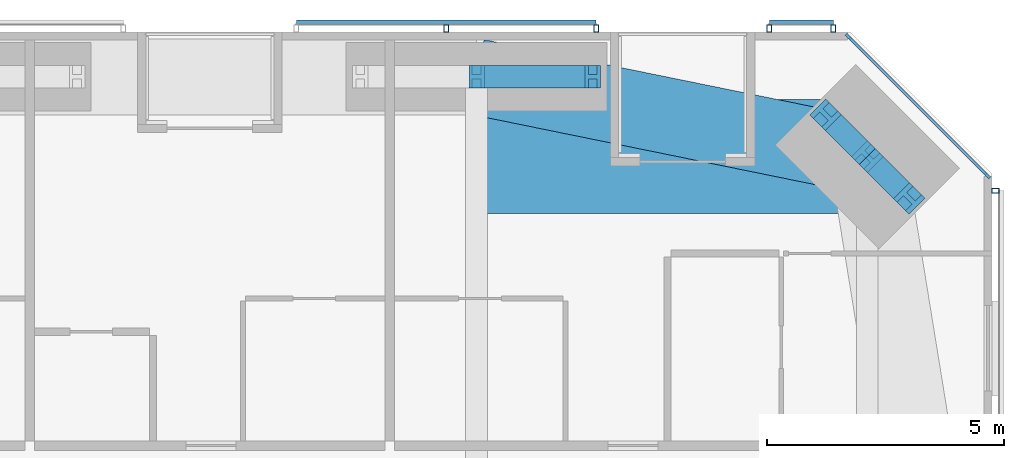
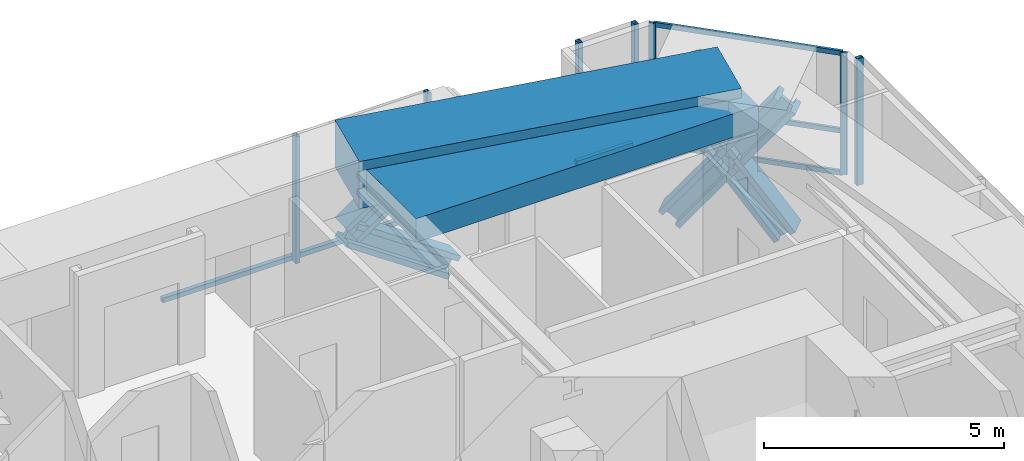
# One storey, part 15 of 25: 18 members, 2 beams, 4 elements without a shape of their own.
"""IFC4 building model written with IfcOpenShell, lengths in metres."""

import ifcopenshell
import ifcopenshell.guid

model = None  # the IFC model being written
_history = None  # IfcOwnerHistory: only IFC2X3 demands one
_inside = {}  # id of a spatial element -> (the spatial element, [elements in it])
_under = {}  # id of a project, library or spatial element -> (it, [spatial elements below it])
_declared = {}  # id of a project -> (the project, [libraries it declares])
_typed = {}  # id of a type object -> (the type object, [elements of that type])
_made_of = {}  # id of a material, layer set ... -> (it, [elements and type objects made of it])


def new_model(schema):
    """Start an empty IFC model of exactly this schema.

    Asked for "IFC4X3", IfcOpenShell would pick the latest addendum, in which some entities
    have other attributes; the version numbers below select the first issue.
    IFC2X3 requires an IfcOwnerHistory on every rooted entity: one is made here for all.
    """
    global model, _history
    if schema == "IFC4X3":
        model = ifcopenshell.file(schema_version=(4, 3, 0, 0))
    else:
        model = ifcopenshell.file(schema=schema)
    _inside.clear()
    _under.clear()
    _declared.clear()
    _typed.clear()
    _made_of.clear()
    _history = None
    if model.schema == "IFC2X3":
        org = make("IfcOrganization", Name="unknown")
        user = make(
            "IfcPersonAndOrganization",
            ThePerson=make("IfcPerson", FamilyName="unknown"),
            TheOrganization=org,
        )
        app = make(
            "IfcApplication",
            ApplicationDeveloper=org,
            Version="unknown",
            ApplicationFullName="unknown",
            ApplicationIdentifier="unknown",
        )
        _history = make(
            "IfcOwnerHistory",
            OwningUser=user,
            OwningApplication=app,
            ChangeAction="ADDED",
            CreationDate=0,
        )
    return model


def make(cls, **values):
    """One entity of the class cls with the attributes given. An attribute that is None is left unset."""
    return model.create_entity(
        cls, **{name: value for name, value in values.items() if value is not None}
    )


def rooted(cls, **values):
    """An entity with a GlobalId (a new one), such as an element, a storey or a relation."""
    return make(cls, GlobalId=ifcopenshell.guid.new(), OwnerHistory=_history, **values)


def si_unit(unit_type, name, prefix=None):
    """IfcSIUnit, for example si_unit("LENGTHUNIT", "METRE", prefix="MILLI")."""
    return make("IfcSIUnit", UnitType=unit_type, Prefix=prefix, Name=name)


def assignment(units):
    """IfcUnitAssignment: the units of a project."""
    return None if units is None else make("IfcUnitAssignment", Units=units)


def point(xyz):
    """IfcCartesianPoint."""
    return None if xyz is None else make("IfcCartesianPoint", Coordinates=xyz)


def direction(xyz):
    """IfcDirection."""
    return None if xyz is None else make("IfcDirection", DirectionRatios=xyz)


def frame(location, z_axis=None, x_axis=None):
    """IfcAxis2Placement3D, a coordinate frame: its origin and axes. An axis left out is left unset."""
    return make(
        "IfcAxis2Placement3D",
        Location=point(location),
        Axis=direction(z_axis),
        RefDirection=direction(x_axis),
    )


def frame_2d(location, x_axis=None):
    """IfcAxis2Placement2D, a coordinate frame in the plane: its origin and x axis."""
    return make(
        "IfcAxis2Placement2D", Location=point(location), RefDirection=direction(x_axis)
    )


def origin():
    """The frame at (0, 0, 0) with its axes left unset."""
    return frame((0.0, 0.0, 0.0))


def origin_2d():
    """The frame at (0, 0) in the plane with its x axis left unset."""
    return frame_2d((0.0, 0.0))


def place(relative_to, where):
    """IfcLocalPlacement: puts the frame where relative to a parent placement (None: the world)."""
    return make(
        "IfcLocalPlacement", PlacementRelTo=relative_to, RelativePlacement=where
    )


def context(
    kind, dimensions, precision=None, world=None, true_north=None, identifier=None
):
    """IfcGeometricRepresentationContext, for example the 3D "Model" context."""
    return make(
        "IfcGeometricRepresentationContext",
        ContextIdentifier=identifier,
        ContextType=kind,
        CoordinateSpaceDimension=dimensions,
        Precision=precision,
        WorldCoordinateSystem=world,
        TrueNorth=true_north,
    )


def subcontext(parent, identifier, kind, view, scale=None):
    """IfcGeometricRepresentationSubContext, for example "Body" below "Model"."""
    return make(
        "IfcGeometricRepresentationSubContext",
        ContextIdentifier=identifier,
        ContextType=kind,
        ParentContext=parent,
        TargetScale=scale,
        TargetView=view,
    )


def project(units=None, contexts=None):
    """IfcProject with its units and contexts."""
    return rooted(
        "IfcProject",
        Name="project",
        RepresentationContexts=contexts,
        UnitsInContext=assignment(units),
    )


def spatial(cls, under=None, at=None, **own):
    """A site, building, storey or space (cls), placed at a placement, below another one or the project."""
    s = rooted(cls, ObjectPlacement=at, **own)
    if under is not None:
        _under.setdefault(under.id(), (under, []))[1].append(s)
    return s


def profile(cls, at=None, kind="AREA", **sizes):
    """A parametric profile (cls). Its sizes go by their IFC names, for example OverallWidth=200.0."""
    return make(cls, ProfileType=kind, Position=at, **sizes)


def rectangle(**sizes):
    """IfcRectangleProfileDef."""
    return profile("IfcRectangleProfileDef", **sizes)


def hollow_rectangle(**sizes):
    """IfcRectangleHollowProfileDef."""
    return profile("IfcRectangleHollowProfileDef", **sizes)


def i_section(**sizes):
    """IfcIShapeProfileDef."""
    return profile("IfcIShapeProfileDef", **sizes)


def extrude(swept, where, along, depth):
    """IfcExtrudedAreaSolid: the profile swept, set in the frame where, extruded along a direction by depth."""
    return make(
        "IfcExtrudedAreaSolid",
        SweptArea=swept,
        Position=where,
        ExtrudedDirection=direction(along),
        Depth=depth,
    )


def shape(context_of_items, identifier, shape_type, items):
    """IfcShapeRepresentation: the items that make up one representation, for example the "Body"."""
    return make(
        "IfcShapeRepresentation",
        ContextOfItems=context_of_items,
        RepresentationIdentifier=identifier,
        RepresentationType=shape_type,
        Items=items,
    )


def material(Name=None, Category=None):
    """IfcMaterial."""
    return make("IfcMaterial", Name=Name, Category=Category)


def material_profile(
    of_material, cross_section, Name=None, Category=None, Priority=None
):
    """IfcMaterialProfile: a cross section and its material."""
    return make(
        "IfcMaterialProfile",
        Name=Name,
        Material=of_material,
        Profile=cross_section,
        Priority=Priority,
        Category=Category,
    )


def profile_set(profiles, Name=None, composite=None):
    """IfcMaterialProfileSet."""
    return make(
        "IfcMaterialProfileSet",
        Name=Name,
        MaterialProfiles=profiles,
        CompositeProfile=composite,
    )


def made_of(thing, what):
    """Note that an element or type object is made of a material, layer set ...; save() writes the relation."""
    if what is not None:
        _made_of.setdefault(what.id(), (what, []))[1].append(thing)
    return thing


def type_object(cls, material=None, **own):
    """A type object (cls), such as IfcWallType, which elements share."""
    return made_of(rooted(cls, **own), material)


def element(
    cls,
    number,
    at=None,
    inside=None,
    cuts=None,
    type_object=None,
    material=None,
    context=None,
    identifier="Body",
    shape_type=None,
    held_by="IfcProductDefinitionShape",
    body=None,
    shapes=None,
    **own,
):
    """One element of the class cls, such as IfcWall. Its Tag is "e" and its number.

    at: its placement. inside: the storey or other place that contains it. cuts: it is an
    opening in that element (IfcRelVoidsElement). A single representation is given by context,
    identifier, shape_type and body (its items); several are given by shapes. held_by: the class
    of the entity that holds the representations. save() writes the other relations.
    """
    e = rooted(cls, Tag="e%d" % number, ObjectPlacement=at, **own)
    if body is not None:
        shapes = [shape(context, identifier, shape_type, body)]
    if shapes is not None:
        e.Representation = make(held_by, Representations=shapes)
    if inside is not None:
        _inside.setdefault(inside.id(), (inside, []))[1].append(e)
    if cuts is not None:
        rooted(
            "IfcRelVoidsElement", RelatingBuildingElement=cuts, RelatedOpeningElement=e
        )
    if type_object is not None:
        _typed.setdefault(type_object.id(), (type_object, []))[1].append(e)
    return made_of(e, material)


def aggregate(whole, parts):
    """IfcRelAggregates: a whole, such as a stair, and the parts it consists of."""
    return rooted("IfcRelAggregates", RelatingObject=whole, RelatedObjects=parts)


def save(model, path):
    """Write the relations noted so far, then the file.

    IfcRelAggregates (storeys below a building ...), IfcRelContainedInSpatialStructure (elements
    in a storey), IfcRelDefinesByType, IfcRelAssociatesMaterial and IfcRelDeclares: one each for
    every whole, place, type object, material and project.
    """
    for whole, parts in _under.values():
        aggregate(whole, parts)
    for where, things in _inside.values():
        rooted(
            "IfcRelContainedInSpatialStructure",
            RelatedElements=things,
            RelatingStructure=where,
        )
    for kind, things in _typed.values():
        rooted("IfcRelDefinesByType", RelatedObjects=things, RelatingType=kind)
    for what, things in _made_of.values():
        rooted("IfcRelAssociatesMaterial", RelatedObjects=things, RelatingMaterial=what)
    for by, libraries in _declared.values():
        rooted("IfcRelDeclares", RelatingContext=by, RelatedDefinitions=libraries)
    model.write(path)


model = new_model("IFC4")

# Units and contexts
model_context = context("Model", 3, precision=1e-05, world=origin(), true_north=direction((0.0, 1.0)))
body_context = subcontext(model_context, "Body", "Model", "MODEL_VIEW")
ifc_project = project(units=[si_unit("LENGTHUNIT", "METRE"), si_unit("AREAUNIT", "SQUARE_METRE"), si_unit("VOLUMEUNIT", "CUBIC_METRE"), si_unit("PLANEANGLEUNIT", "RADIAN"), si_unit("MASSUNIT", "GRAM", prefix="KILO")], contexts=[model_context])

# Site, building, storey
site_placement = place(None, origin())
site = spatial("IfcSite", under=ifc_project, at=site_placement, CompositionType="ELEMENT")
building_placement = place(site_placement, origin())
building = spatial("IfcBuilding", under=site, at=building_placement, Name="Jalousie Tower", CompositionType="ELEMENT")
storey_placement = place(building_placement, frame((0.0, 0.0, 98.14990234375)))
storey = spatial("IfcBuildingStorey", under=building, at=storey_placement, Name="L26", CompositionType="ELEMENT", Elevation=98.14990234375)

# Curtain wall, members
ifc_material_1 = material(Name="Aluminium curtain wall", Category="aluminium")
curtain_wall_type_1 = type_object("IfcCurtainWallType", Name="CORNER WINDOW WALL", PredefinedType="USERDEFINED", material=ifc_material_1)
curtain_wall_1_placement = place(storey_placement, origin())
curtain_wall_1 = element("IfcCurtainWall", 1, at=curtain_wall_1_placement, inside=storey, type_object=curtain_wall_type_1, Name="Corner Window Wall L26 4", ObjectType="CORNER WINDOW WALL", PredefinedType="USERDEFINED")
ifc_material_2 = material(Name="Aluminium mullion", Category="aluminium")
ifc_material_profile_1 = material_profile(ifc_material_2, rectangle(XDim=0.06005859375, YDim=0.14990234375, at=origin_2d()), Name="MULLION 60x150")
ifc_profile_set_1 = profile_set([ifc_material_profile_1], Name="Aluminium mullion")
member_type_1 = type_object("IfcMemberType", Name="CORNER WINDOW WALL MULLION", PredefinedType="MULLION", material=ifc_profile_set_1)
member_1_placement = place(storey_placement, frame((49.391357421875, 34.969970703125, 0.0), z_axis=(0.0, 0.0, 1.0), x_axis=(-0.707106781187, -0.707106781187, 0.0)))
member_1 = element("IfcMember", 2, at=member_1_placement, type_object=member_type_1, Name="CW-C mullion 1", PredefinedType="MULLION", context=body_context, shape_type="SweptSolid", body=[
    extrude(rectangle(XDim=0.06005859375, YDim=0.14990234375, at=origin_2d()), origin(), (0.0, 0.0, 1.0), 3.110107421875),
])
member_2_placement = place(storey_placement, frame((46.469970703125, 37.891357421875, 0.0), z_axis=(0.0, 0.0, 1.0), x_axis=(-0.707106781187, -0.707106781187, 0.0)))
member_2 = element("IfcMember", 3, at=member_2_placement, type_object=member_type_1, Name="CW-C mullion 2", PredefinedType="MULLION", context=body_context, shape_type="SweptSolid", body=[
    extrude(rectangle(XDim=0.06005859375, YDim=0.14990234375, at=origin_2d()), origin(), (0.0, 0.0, 1.0), 3.110107421875),
])
ifc_material_3 = material(Name="Aluminium transom", Category="aluminium")
ifc_material_profile_2 = material_profile(ifc_material_3, rectangle(XDim=0.06005859375, YDim=0.1201171875, at=origin_2d()), Name="TRANSOM 60x120")
ifc_profile_set_2 = profile_set([ifc_material_profile_2], Name="Aluminium transom")
member_type_2 = type_object("IfcMemberType", Name="CORNER WINDOW WALL TRANSOM", PredefinedType="USERDEFINED", material=ifc_profile_set_2)
member_3_placement = place(storey_placement, frame((49.3701171875, 34.9912109375, 0.030029296875), z_axis=(-0.707106781187, 0.707106781187, 0.0), x_axis=(-0.707106781187, -0.707106781187, 0.0)))
member_3 = element("IfcMember", 4, at=member_3_placement, type_object=member_type_2, Name="CW-C transom 1.1", ObjectType="TRANSOM", PredefinedType="USERDEFINED", context=body_context, shape_type="SweptSolid", body=[
    extrude(rectangle(XDim=0.06005859375, YDim=0.1201171875, at=origin_2d()), origin(), (0.0, 0.0, 1.0), 4.0712890625),
])
member_4_placement = place(storey_placement, frame((49.3701171875, 34.9912109375, 1.10009765625), z_axis=(-0.707106781187, 0.707106781187, 0.0), x_axis=(-0.707106781187, -0.707106781187, 0.0)))
member_4 = element("IfcMember", 5, at=member_4_placement, type_object=member_type_2, Name="CW-C transom 1.2", ObjectType="TRANSOM", PredefinedType="USERDEFINED", context=body_context, shape_type="SweptSolid", body=[
    extrude(rectangle(XDim=0.06005859375, YDim=0.1201171875, at=origin_2d()), origin(), (0.0, 0.0, 1.0), 4.0712890625),
])
member_5_placement = place(storey_placement, frame((49.3701171875, 34.9912109375, 3.080078125), z_axis=(-0.707106781187, 0.707106781187, 0.0), x_axis=(-0.707106781187, -0.707106781187, 0.0)))
member_5 = element("IfcMember", 6, at=member_5_placement, type_object=member_type_2, Name="CW-C transom 1.3", ObjectType="TRANSOM", PredefinedType="USERDEFINED", context=body_context, shape_type="SweptSolid", body=[
    extrude(rectangle(XDim=0.06005859375, YDim=0.1201171875, at=origin_2d()), origin(), (0.0, 0.0, 1.0), 4.0712890625),
])
aggregate(curtain_wall_1, [member_1, member_2, member_3, member_4, member_5])

# Members
ifc_material_4 = material(Name="Steel ASTM A992 Grade 50", Category="steel")
ifc_material_profile_3 = material_profile(ifc_material_4, i_section(OverallWidth=0.472412109375, OverallDepth=0.5791015625, WebThickness=0.094970703125, FlangeThickness=0.1298828125, at=origin_2d()), Name="W14X808")
ifc_profile_set_3 = profile_set([ifc_material_profile_3], Name="Steel ASTM A992 Grade 50")
member_type_3 = type_object("IfcMemberType", Name="PERIMETER BRACE W14X808", PredefinedType="BRACE", material=ifc_profile_set_3)
member_6_placement = place(storey_placement, frame((47.75244140625, 34.484619140625, -0.599853515625), z_axis=(-0.422851718556, 0.422968528423, 0.801432497518), x_axis=(-0.707204427637, -0.70700912125, 0.0)))
element("IfcMember", 7, at=member_6_placement, inside=storey, type_object=member_type_3, Name="Perimeter brace 08 L26 part 1", PredefinedType="BRACE", context=body_context, shape_type="SweptSolid", body=[
    extrude(i_section(OverallWidth=0.472412109375, OverallDepth=0.5791015625, WebThickness=0.094970703125, FlangeThickness=0.1298828125, at=origin_2d()), origin(), (0.0, 0.0, 1.0), 2.090087890625),
])
member_7_placement = place(storey_placement, frame((46.86865234375, 35.36865234375, 1.0751953125), z_axis=(-0.423008127391, 0.422891306588, 0.801390708065), x_axis=(-0.70700912125, -0.707204427637, 0.0)))
element("IfcMember", 8, at=member_7_placement, inside=storey, type_object=member_type_3, Name="Perimeter brace 08 L26 part 2", PredefinedType="BRACE", context=body_context, shape_type="SweptSolid", body=[
    extrude(i_section(OverallWidth=0.472412109375, OverallDepth=0.5791015625, WebThickness=0.094970703125, FlangeThickness=0.1298828125, at=origin_2d()), origin(), (0.0, 0.0, 1.0), 2.08984375),
])
member_8_placement = place(storey_placement, frame((45.984619140625, 36.25244140625, -0.599853515625), z_axis=(0.422968528423, -0.422851718556, 0.801432497518), x_axis=(0.70700912125, 0.707204427637, 0.0)))
element("IfcMember", 9, at=member_8_placement, inside=storey, type_object=member_type_3, Name="Perimeter brace 08 L26 part 3", PredefinedType="BRACE", context=body_context, shape_type="SweptSolid", body=[
    extrude(i_section(OverallWidth=0.472412109375, OverallDepth=0.5791015625, WebThickness=0.094970703125, FlangeThickness=0.1298828125, at=origin_2d()), origin(), (0.0, 0.0, 1.0), 2.090087890625),
])
member_9_placement = place(storey_placement, frame((46.86865234375, 35.36865234375, 1.0751953125), z_axis=(0.422891306588, -0.423008127391, 0.801390708065), x_axis=(0.707204427637, 0.70700912125, 0.0)))
element("IfcMember", 10, at=member_9_placement, inside=storey, type_object=member_type_3, Name="Perimeter brace 08 L26 part 4", PredefinedType="BRACE", context=body_context, shape_type="SweptSolid", body=[
    extrude(i_section(OverallWidth=0.472412109375, OverallDepth=0.5791015625, WebThickness=0.094970703125, FlangeThickness=0.1298828125, at=origin_2d()), origin(), (0.0, 0.0, 1.0), 2.08984375),
])
for number, where, z_axis, x_axis, name in (
    (11, (38.625, 37.050048828125, 1.0751953125), (0.825539243753, 0.0, 0.564344714713), (0.0, 1.0, 0.0), "Perimeter brace 09 L26 part 2"),
    (12, (41.074951171875, 37.050048828125, -0.599853515625), (-0.825500916831, 0.0, 0.564400776321), (0.0, -1.0, 0.0), "Perimeter brace 09 L26 part 3"),
):
    element("IfcMember", number, at=place(storey_placement, frame(where, z_axis=z_axis, x_axis=x_axis)), inside=storey, type_object=member_type_3, Name=name, PredefinedType="BRACE", context=body_context, shape_type="SweptSolid", body=[
        extrude(i_section(OverallWidth=0.472412109375, OverallDepth=0.5791015625, WebThickness=0.094970703125, FlangeThickness=0.1298828125, at=origin_2d()), origin(), (0.0, 0.0, 1.0), 2.9677734375),
    ])

# Beams
ifc_material_5 = material(Name="Concrete f'c 40 MPa", Category="concrete")
ifc_material_profile_4 = material_profile(ifc_material_5, rectangle(XDim=1.60009765625, YDim=1.199951171875, at=origin_2d()), Name="RC 1600x1200")
ifc_profile_set_4 = profile_set([ifc_material_profile_4], Name="Concrete f'c 40 MPa")
beam_type_1 = type_object("IfcBeamType", Name="RC BEAM 1600x1200", PredefinedType="BEAM", material=ifc_profile_set_4)
beam_1_placement = place(storey_placement, frame((46.86865234375, 35.36865234375, 2.75), z_axis=(-0.97982690954, 0.199848010602, 0.0), x_axis=(-0.199848010602, -0.97982690954, 0.0)))
element("IfcBeam", 13, at=beam_1_placement, inside=storey, type_object=beam_type_1, Name="Edge band beam 08-09 under L27", PredefinedType="BEAM", context=body_context, shape_type="SweptSolid", body=[
    extrude(rectangle(XDim=1.60009765625, YDim=1.199951171875, at=origin_2d()), origin(), (0.0, 0.0, 1.0), 8.413330078125),
])
ifc_material_6 = material(Name="Concrete f'c 40 MPa", Category="concrete")
ifc_material_profile_5 = material_profile(ifc_material_6, rectangle(XDim=2.39990234375, YDim=0.60009765625, at=origin_2d()), Name="RC 2400x600")
ifc_profile_set_5 = profile_set([ifc_material_profile_5], Name="Concrete f'c 40 MPa")
beam_type_2 = type_object("IfcBeamType", Name="RC BEAM 2400x600", PredefinedType="BEAM", material=ifc_profile_set_5)
beam_2_placement = place(storey_placement, frame((46.86865234375, 35.36865234375, 2.81005859375), z_axis=(-1.0, 0.0, 0.0), x_axis=(0.0, -1.0, 0.0)))
element("IfcBeam", 14, at=beam_2_placement, inside=storey, type_object=beam_type_2, Name="Floor band beam under L27", PredefinedType="BEAM", context=body_context, shape_type="SweptSolid", body=[
    extrude(rectangle(XDim=2.39990234375, YDim=0.60009765625, at=origin_2d()), origin(), (0.0, 0.0, 1.0), 8.24365234375),
])

# Curtain wall, member
ifc_material_7 = material(Name="Perforated aluminium sheet", Category="aluminium")
curtain_wall_type_2 = type_object("IfcCurtainWallType", Name="SOLAR SCREEN SS-1", PredefinedType="USERDEFINED", material=ifc_material_7)
curtain_wall_2_placement = place(storey_placement, origin())
curtain_wall_2 = element("IfcCurtainWall", 15, at=curtain_wall_2_placement, inside=storey, type_object=curtain_wall_type_2, Name="Solar screen L26", ObjectType="SOLAR SCREEN SS-1", PredefinedType="USERDEFINED")
ifc_material_8 = material(Name="Steel ASTM A500 Grade C", Category="steel")
ifc_material_profile_6 = material_profile(ifc_material_8, hollow_rectangle(XDim=0.1015625, YDim=0.15234375, WallThickness=0.00634765625, at=origin_2d()), Name="HSS6X4X1/4")
ifc_profile_set_6 = profile_set([ifc_material_profile_6], Name="Steel ASTM A500 Grade C")
member_type_4 = type_object("IfcMemberType", Name="SOLAR SCREEN SS-1 MULLION", PredefinedType="MULLION", material=ifc_profile_set_6)
member_10_placement = place(storey_placement, frame((49.5712890625, 34.648681640625, -0.119873046875), z_axis=(0.0, 0.0, 1.0), x_axis=(0.0, 1.0, 0.0)))
member_10 = element("IfcMember", 16, at=member_10_placement, type_object=member_type_4, Name="SS1 post 4", PredefinedType="MULLION", context=body_context, shape_type="SweptSolid", body=[
    extrude(hollow_rectangle(XDim=0.1015625, YDim=0.15234375, WallThickness=0.00634765625, at=origin_2d()), origin(), (0.0, 0.0, 1.0), 3.22998046875),
])
aggregate(curtain_wall_2, [member_10])

# Curtain wall, members
curtain_wall_3_placement = place(storey_placement, origin())
curtain_wall_3 = element("IfcCurtainWall", 17, at=curtain_wall_3_placement, inside=storey, type_object=curtain_wall_type_2, Name="Solar screen L26", ObjectType="SOLAR SCREEN SS-1", PredefinedType="USERDEFINED")
member_11_placement = place(storey_placement, frame((46.148681640625, 38.0712890625, -0.119873046875), z_axis=(0.0, 0.0, 1.0), x_axis=(-1.0, 0.0, 0.0)))
member_11 = element("IfcMember", 18, at=member_11_placement, type_object=member_type_4, Name="SS1 post 1", PredefinedType="MULLION", context=body_context, shape_type="SweptSolid", body=[
    extrude(hollow_rectangle(XDim=0.1015625, YDim=0.15234375, WallThickness=0.00634765625, at=origin_2d()), origin(), (0.0, 0.0, 1.0), 3.22998046875),
])
member_12_placement = place(storey_placement, frame((44.798583984375, 38.0712890625, -0.119873046875), z_axis=(0.0, 0.0, 1.0), x_axis=(-1.0, 0.0, 0.0)))
member_12 = element("IfcMember", 19, at=member_12_placement, type_object=member_type_4, Name="SS1 post 2", PredefinedType="MULLION", context=body_context, shape_type="SweptSolid", body=[
    extrude(hollow_rectangle(XDim=0.1015625, YDim=0.15234375, WallThickness=0.00634765625, at=origin_2d()), origin(), (0.0, 0.0, 1.0), 3.22998046875),
])

curtain_wall_4_placement = place(storey_placement, origin())
curtain_wall_4 = element("IfcCurtainWall", 20, at=curtain_wall_4_placement, inside=storey, type_object=curtain_wall_type_2, Name="Solar screen L26", ObjectType="SOLAR SCREEN SS-1", PredefinedType="USERDEFINED")
member_13_placement = place(storey_placement, frame((41.148681640625, 38.0712890625, -0.119873046875), z_axis=(0.0, 0.0, 1.0), x_axis=(-1.0, 0.0, 0.0)))
member_13 = element("IfcMember", 21, at=member_13_placement, type_object=member_type_4, Name="SS1 post 1", PredefinedType="MULLION", context=body_context, shape_type="SweptSolid", body=[
    extrude(hollow_rectangle(XDim=0.1015625, YDim=0.15234375, WallThickness=0.00634765625, at=origin_2d()), origin(), (0.0, 0.0, 1.0), 3.22998046875),
])
member_14_placement = place(storey_placement, frame((37.98681640625, 38.0712890625, -0.119873046875), z_axis=(0.0, 0.0, 1.0), x_axis=(-1.0, 0.0, 0.0)))
member_14 = element("IfcMember", 22, at=member_14_placement, type_object=member_type_4, Name="SS1 post 2", PredefinedType="MULLION", context=body_context, shape_type="SweptSolid", body=[
    extrude(hollow_rectangle(XDim=0.1015625, YDim=0.15234375, WallThickness=0.00634765625, at=origin_2d()), origin(), (0.0, 0.0, 1.0), 3.22998046875),
])

# Member
ifc_material_9 = material(Name="Extruded aluminium screen rail", Category="aluminium")
ifc_material_profile_7 = material_profile(ifc_material_9, rectangle(XDim=0.1015625, YDim=0.1201171875, at=origin_2d()), Name="RAIL 102x120")
ifc_profile_set_7 = profile_set([ifc_material_profile_7], Name="Extruded aluminium screen rail")
member_type_5 = type_object("IfcMemberType", Name="SOLAR SCREEN SS-1 TRANSOM", PredefinedType="USERDEFINED", material=ifc_profile_set_7)
member_15_placement = place(storey_placement, frame((46.148681640625, 38.1982421875, -0.059814453125), z_axis=(-1.0, 0.0, 0.0), x_axis=(0.0, -1.0, 0.0)))
member_15 = element("IfcMember", 23, at=member_15_placement, type_object=member_type_5, Name="SS1 rail", ObjectType="TRANSOM", PredefinedType="USERDEFINED", context=body_context, shape_type="SweptSolid", body=[
    extrude(rectangle(XDim=0.1015625, YDim=0.1201171875, at=origin_2d()), origin(), (0.0, 0.0, 1.0), 1.35009765625),
])

aggregate(curtain_wall_3, [member_11, member_12, member_15])

member_16_placement = place(storey_placement, frame((41.148681640625, 38.1982421875, -0.059814453125), z_axis=(-1.0, 0.0, 0.0), x_axis=(0.0, -1.0, 0.0)))
member_16 = element("IfcMember", 24, at=member_16_placement, type_object=member_type_5, Name="SS1 rail", ObjectType="TRANSOM", PredefinedType="USERDEFINED", context=body_context, shape_type="SweptSolid", body=[
    extrude(rectangle(XDim=0.1015625, YDim=0.1201171875, at=origin_2d()), origin(), (0.0, 0.0, 1.0), 6.32373046875),
])

aggregate(curtain_wall_4, [member_13, member_14, member_16])

save(model, "model.ifc")
